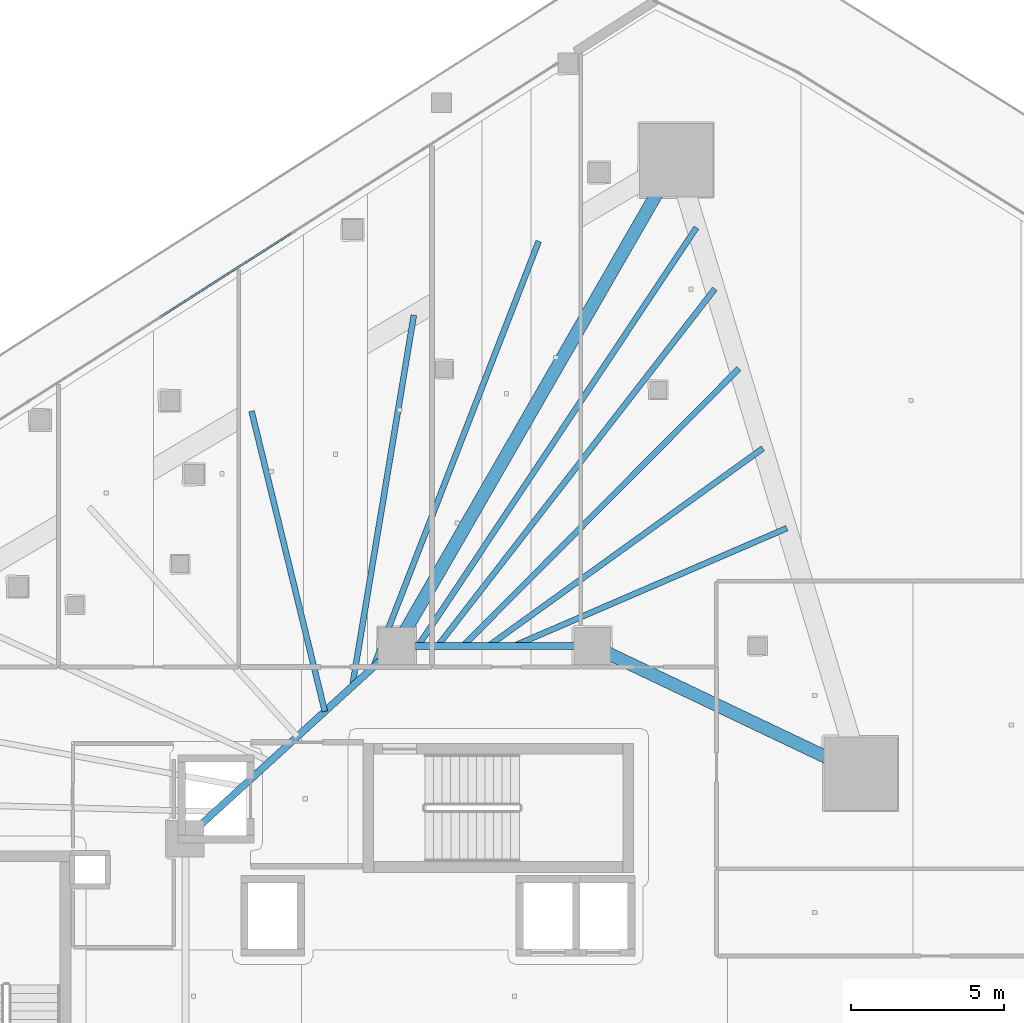
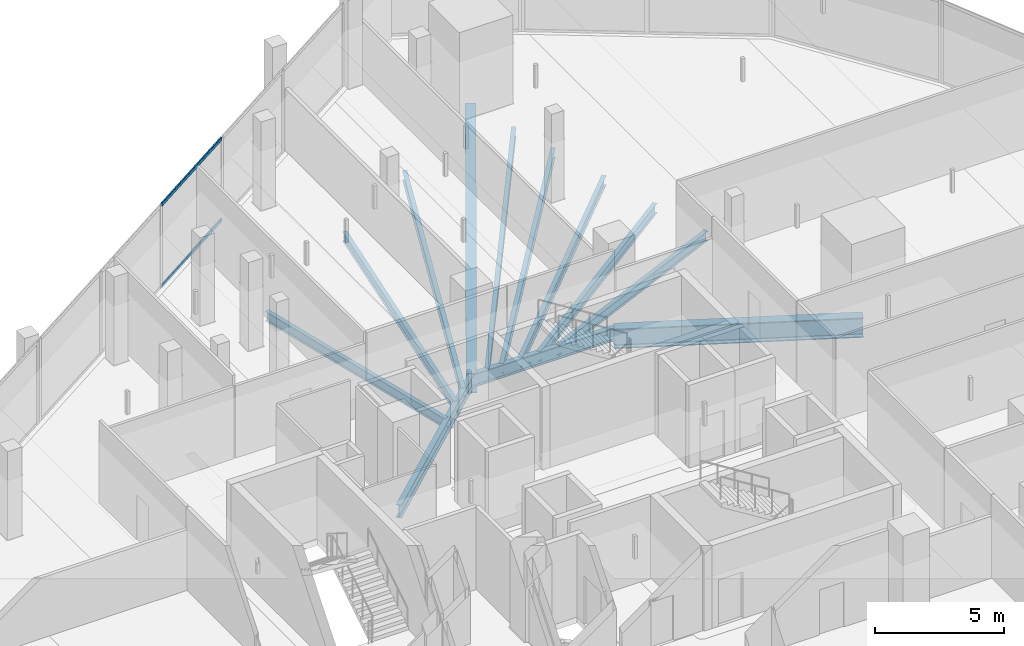
# One storey, part 18 of 44: 12 beams, 2 members, 1 element without a shape of its own.
"""IFC4 building model written with IfcOpenShell, lengths in metres."""

from ifc_helpers import new_model, si_unit, direction, frame, origin, origin_2d, place, context, subcontext, project, spatial, hollow_rectangle, i_section, extrude, material, layer, layer_set, material_profile, profile_set, type_object, element, aggregate, save


model = new_model("IFC4")

# Units and contexts
model_context = context("Model", 3, precision=1e-05, world=origin(), true_north=direction((0.0, 1.0)))
body_context = subcontext(model_context, "Body", "Model", "MODEL_VIEW")
ifc_project = project(units=[si_unit("LENGTHUNIT", "METRE"), si_unit("AREAUNIT", "SQUARE_METRE"), si_unit("VOLUMEUNIT", "CUBIC_METRE"), si_unit("PLANEANGLEUNIT", "RADIAN"), si_unit("MASSUNIT", "GRAM", prefix="KILO")], contexts=[model_context])

# Site, building, storey
site_placement = place(None, origin())
site = spatial("IfcSite", under=ifc_project, at=site_placement, CompositionType="ELEMENT")
building_placement = place(site_placement, origin())
building = spatial("IfcBuilding", under=site, at=building_placement, Name="Qorvath Tower", CompositionType="ELEMENT")
storey_placement = place(building_placement, frame((0.0, 0.0, 70.199951171875)))
storey = spatial("IfcBuildingStorey", under=building, at=storey_placement, Name="L15", CompositionType="ELEMENT", Elevation=70.199951171875)

# Beams
ifc_material_1 = material(Name="Steel ASTM A992 Grade 50", Category="steel")
ifc_material_profile_1 = material_profile(ifc_material_1, i_section(OverallWidth=0.422119140625, OverallDepth=0.93310546875, WebThickness=0.021240234375, FlangeThickness=0.039794921875, FilletRadius=0.02392578125, at=origin_2d()), Name="W36x262")
ifc_profile_set_1 = profile_set([ifc_material_profile_1], Name="Steel ASTM A992 Grade 50")
beam_type_1 = type_object("IfcBeamType", Name="BM-FG1", PredefinedType="BEAM", material=ifc_profile_set_1)
beam_1_placement = place(storey_placement, frame((-23.60009765625, 11.449951171875, -0.74658203125), z_axis=(0.498645367714, 0.866806089767, 0.0), x_axis=(-0.866806089767, 0.498645367714, 0.0)))
element("IfcBeam", 1, at=beam_1_placement, inside=storey, type_object=beam_type_1, Name="Radial Floor Girder CC1-MC6 L15", PredefinedType="BEAM", context=body_context, shape_type="SweptSolid", body=[
    extrude(i_section(OverallWidth=0.422119140625, OverallDepth=0.93310546875, WebThickness=0.021240234375, FlangeThickness=0.039794921875, FilletRadius=0.02392578125, at=origin_2d()), origin(), (0.0, 0.0, 1.0), 18.321044921875),
])
beam_2_placement = place(storey_placement, frame((-17.199951171875, 11.449951171875, -0.74658203125), z_axis=(0.902955751435, -0.429733534821, 0.0), x_axis=(0.429733534821, 0.902955751435, 0.0)))
element("IfcBeam", 2, at=beam_2_placement, inside=storey, type_object=beam_type_1, Name="Radial Floor Girder CC2-MC5 L15", PredefinedType="BEAM", context=body_context, shape_type="SweptSolid", body=[
    extrude(i_section(OverallWidth=0.422119140625, OverallDepth=0.93310546875, WebThickness=0.021240234375, FlangeThickness=0.039794921875, FilletRadius=0.02392578125, at=origin_2d()), origin(), (0.0, 0.0, 1.0), 9.7119140625),
])
ifc_material_2 = material(Name="Steel ASTM A992 Grade 50", Category="steel")
ifc_material_profile_2 = material_profile(ifc_material_2, i_section(OverallWidth=0.22998046875, OverallDepth=0.616943359375, WebThickness=0.01318359375, FlangeThickness=0.022216796875, FilletRadius=0.014892578125, at=origin_2d()), Name="W24x94")
ifc_profile_set_2 = profile_set([ifc_material_profile_2], Name="Steel ASTM A992 Grade 50")
beam_type_2 = type_object("IfcBeamType", Name="BM-FG6", PredefinedType="BEAM", material=ifc_profile_set_2)
beam_3_placement = place(storey_placement, frame((-23.60009765625, 11.449951171875, -0.588623046875), z_axis=(1.0, 0.0, 0.0), x_axis=(0.0, 1.0, 0.0)))
element("IfcBeam", 3, at=beam_3_placement, inside=storey, type_object=beam_type_2, Name="Core Ring Girder CC1-CC2 L15", PredefinedType="BEAM", context=body_context, shape_type="SweptSolid", body=[
    extrude(i_section(OverallWidth=0.22998046875, OverallDepth=0.616943359375, WebThickness=0.01318359375, FlangeThickness=0.022216796875, FilletRadius=0.014892578125, at=origin_2d()), origin(), (0.0, 0.0, 1.0), 6.400146484375),
])
beam_4_placement = place(storey_placement, frame((-30.5, 5.14990234375, -0.588623046875), z_axis=(0.73847813985, 0.6742774184, 0.0), x_axis=(-0.6742774184, 0.73847813985, 0.0)))
element("IfcBeam", 4, at=beam_4_placement, inside=storey, type_object=beam_type_2, Name="Core Ring Girder CC5-CC1 L15", PredefinedType="BEAM", context=body_context, shape_type="SweptSolid", body=[
    extrude(i_section(OverallWidth=0.22998046875, OverallDepth=0.616943359375, WebThickness=0.01318359375, FlangeThickness=0.022216796875, FilletRadius=0.014892578125, at=origin_2d()), origin(), (0.0, 0.0, 1.0), 9.343505859375),
])
ifc_material_3 = material(Name="Steel ASTM A992 Grade 50", Category="steel")
ifc_material_profile_3 = material_profile(ifc_material_3, i_section(OverallWidth=0.18994140625, OverallDepth=0.45703125, WebThickness=0.009033203125, FlangeThickness=0.014404296875, FilletRadius=0.011962890625, at=origin_2d()), Name="W18x50")
ifc_profile_set_3 = profile_set([ifc_material_profile_3], Name="Steel ASTM A992 Grade 50")
beam_type_3 = type_object("IfcBeamType", Name="BM-FJ2", PredefinedType="JOIST", material=ifc_profile_set_3)
beam_5_placement = place(storey_placement, frame((-19.760009765625, 11.449951171875, -0.508544921875), z_axis=(0.918135537923, 0.396266493667, 0.0), x_axis=(-0.396266493667, 0.918135537923, 0.0)))
element("IfcBeam", 5, at=beam_5_placement, inside=storey, type_object=beam_type_3, Name="Composite Floor Joist NE3 L15", PredefinedType="JOIST", context=body_context, shape_type="SweptSolid", body=[
    extrude(i_section(OverallWidth=0.18994140625, OverallDepth=0.45703125, WebThickness=0.009033203125, FlangeThickness=0.014404296875, FilletRadius=0.011962890625, at=origin_2d()), origin(), (0.0, 0.0, 1.0), 9.7109375),
])
beam_6_placement = place(storey_placement, frame((-20.592041015625, 11.449951171875, -0.508544921875), z_axis=(0.811469358397, 0.584394969505, 0.0), x_axis=(-0.584394969505, 0.811469358397, 0.0)))
element("IfcBeam", 6, at=beam_6_placement, inside=storey, type_object=beam_type_3, Name="Composite Floor Joist NE4 L15", PredefinedType="JOIST", context=body_context, shape_type="SweptSolid", body=[
    extrude(i_section(OverallWidth=0.18994140625, OverallDepth=0.45703125, WebThickness=0.009033203125, FlangeThickness=0.014404296875, FilletRadius=0.011962890625, at=origin_2d()), origin(), (0.0, 0.0, 1.0), 11.046142578125),
])
beam_7_placement = place(storey_placement, frame((-21.424072265625, 11.449951171875, -0.508544921875), z_axis=(0.705107654599, 0.709100271771, 0.0), x_axis=(-0.709100271771, 0.705107654599, 0.0)))
element("IfcBeam", 7, at=beam_7_placement, inside=storey, type_object=beam_type_3, Name="Composite Floor Joist NE5 L15", PredefinedType="JOIST", context=body_context, shape_type="SweptSolid", body=[
    extrude(i_section(OverallWidth=0.18994140625, OverallDepth=0.45703125, WebThickness=0.009033203125, FlangeThickness=0.014404296875, FilletRadius=0.011962890625, at=origin_2d()), origin(), (0.0, 0.0, 1.0), 12.780029296875),
])
beam_8_placement = place(storey_placement, frame((-22.256103515625, 11.449951171875, -0.508544921875), z_axis=(0.613206963859, 0.789922286984, 0.0), x_axis=(-0.789922286984, 0.613206963859, 0.0)))
element("IfcBeam", 8, at=beam_8_placement, inside=storey, type_object=beam_type_3, Name="Composite Floor Joist NE6 L15", PredefinedType="JOIST", context=body_context, shape_type="SweptSolid", body=[
    extrude(i_section(OverallWidth=0.18994140625, OverallDepth=0.45703125, WebThickness=0.009033203125, FlangeThickness=0.014404296875, FilletRadius=0.011962890625, at=origin_2d()), origin(), (0.0, 0.0, 1.0), 14.77294921875),
])
beam_9_placement = place(storey_placement, frame((-22.89599609375, 11.449951171875, -0.508544921875), z_axis=(0.553811384989, 0.83264214994, 0.0), x_axis=(-0.83264214994, 0.553811384989, 0.0)))
element("IfcBeam", 9, at=beam_9_placement, inside=storey, type_object=beam_type_3, Name="Composite Floor Joist NE7 L15", PredefinedType="JOIST", context=body_context, shape_type="SweptSolid", body=[
    extrude(i_section(OverallWidth=0.18994140625, OverallDepth=0.45703125, WebThickness=0.009033203125, FlangeThickness=0.014404296875, FilletRadius=0.011962890625, at=origin_2d()), origin(), (0.0, 0.0, 1.0), 16.42333984375),
])
beam_10_placement = place(storey_placement, frame((-25.946044921875, 9.30810546875, -0.508544921875), z_axis=(-0.237165308581, 0.97146930801, 0.0), x_axis=(-0.97146930801, -0.237165308581, 0.0)))
element("IfcBeam", 10, at=beam_10_placement, inside=storey, type_object=beam_type_3, Name="Composite Floor Joist NW5 L15", PredefinedType="JOIST", context=body_context, shape_type="SweptSolid", body=[
    extrude(i_section(OverallWidth=0.18994140625, OverallDepth=0.45703125, WebThickness=0.009033203125, FlangeThickness=0.014404296875, FilletRadius=0.011962890625, at=origin_2d()), origin(), (0.0, 0.0, 1.0), 10.104736328125),
])
beam_11_placement = place(storey_placement, frame((-25.049072265625, 10.126953125, -0.508544921875), z_axis=(0.163639384475, 0.98652022374, 0.0), x_axis=(-0.98652022374, 0.163639384475, 0.0)))
element("IfcBeam", 11, at=beam_11_placement, inside=storey, type_object=beam_type_3, Name="Composite Floor Joist NW6 L15", PredefinedType="JOIST", context=body_context, shape_type="SweptSolid", body=[
    extrude(i_section(OverallWidth=0.18994140625, OverallDepth=0.45703125, WebThickness=0.009033203125, FlangeThickness=0.014404296875, FilletRadius=0.011962890625, at=origin_2d()), origin(), (0.0, 0.0, 1.0), 12.301025390625),
])
beam_12_placement = place(storey_placement, frame((-24.35888671875, 10.757080078125, -0.508544921875), z_axis=(0.361964096586, 0.93219203643, 0.0), x_axis=(-0.93219203643, 0.361964096586, 0.0)))
element("IfcBeam", 12, at=beam_12_placement, inside=storey, type_object=beam_type_3, Name="Composite Floor Joist NW7 L15", PredefinedType="JOIST", context=body_context, shape_type="SweptSolid", body=[
    extrude(i_section(OverallWidth=0.18994140625, OverallDepth=0.45703125, WebThickness=0.009033203125, FlangeThickness=0.014404296875, FilletRadius=0.011962890625, at=origin_2d()), origin(), (0.0, 0.0, 1.0), 14.93115234375),
])

# Curtain wall, members
ifc_material_4 = material(Name="Anodised aluminium and triple low-E glass", Category="aluminium")
ifc_layer = layer(ifc_material_4, 0.179931640625)
ifc_layer_set = layer_set([ifc_layer], Name="CW-SYS-2")
curtain_wall_type = type_object("IfcCurtainWallType", Name="CW-SYS-2", PredefinedType="NOTDEFINED", material=ifc_layer_set)
curtain_wall_placement = place(storey_placement, origin())
curtain_wall = element("IfcCurtainWall", 13, at=curtain_wall_placement, inside=storey, type_object=curtain_wall_type, Name="Curtain Wall CW-2 CW-T-L15-16.2", PredefinedType="NOTDEFINED")
ifc_material_5 = material(Name="Anodised aluminium 6063-T6", Category="aluminium")
ifc_material_profile_4 = material_profile(ifc_material_5, hollow_rectangle(XDim=0.06494140625, YDim=0.159912109375, WallThickness=0.00341796875, InnerFilletRadius=0.00341796875, OuterFilletRadius=0.007080078125, at=origin_2d()), Name="CWT 160x65")
ifc_profile_set_4 = profile_set([ifc_material_profile_4], Name="Anodised aluminium 6063-T6")
member_type = type_object("IfcMemberType", Name="CWT-160", PredefinedType="USERDEFINED", material=ifc_profile_set_4)
member_1_placement = place(storey_placement, frame((-27.034423828125, 24.94287109375, 0.032470703125), z_axis=(-0.842577063676, -0.538575799463, 0.0), x_axis=(0.538575799463, -0.842577063676, 0.0)))
member_1 = element("IfcMember", 14, at=member_1_placement, type_object=member_type, Name="CW-2 transom 3.1", ObjectType="TRANSOM", PredefinedType="USERDEFINED", context=body_context, shape_type="SweptSolid", body=[
    extrude(hollow_rectangle(XDim=0.06494140625, YDim=0.159912109375, WallThickness=0.00341796875, InnerFilletRadius=0.00341796875, OuterFilletRadius=0.007080078125, at=origin_2d()), origin(), (0.0, 0.0, 1.0), 5.060302734375),
])
member_2_placement = place(storey_placement, frame((-27.034423828125, 24.94287109375, 3.8876953125), z_axis=(-0.842577063676, -0.538575799463, 0.0), x_axis=(0.538575799463, -0.842577063676, 0.0)))
member_2 = element("IfcMember", 15, at=member_2_placement, type_object=member_type, Name="CW-2 transom 3.2", ObjectType="TRANSOM", PredefinedType="USERDEFINED", context=body_context, shape_type="SweptSolid", body=[
    extrude(hollow_rectangle(XDim=0.06494140625, YDim=0.159912109375, WallThickness=0.00341796875, InnerFilletRadius=0.00341796875, OuterFilletRadius=0.007080078125, at=origin_2d()), origin(), (0.0, 0.0, 1.0), 5.060302734375),
])
aggregate(curtain_wall, [member_1, member_2])

save(model, "model.ifc")
